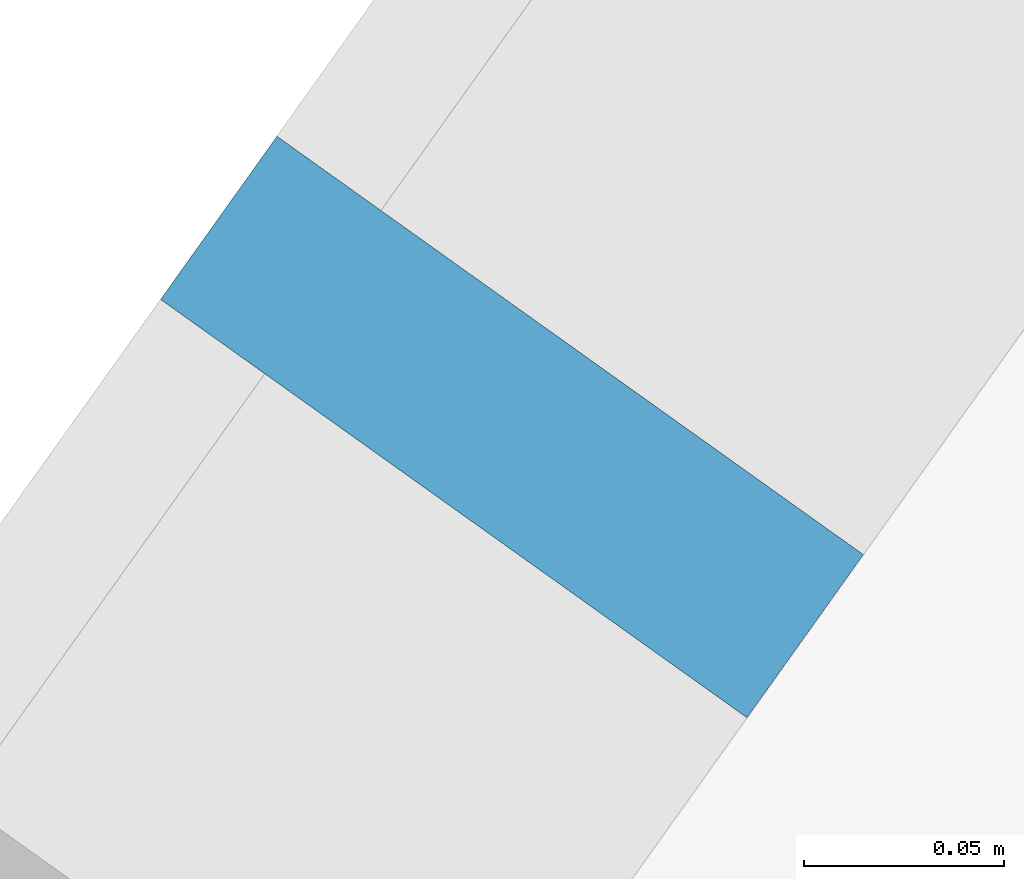
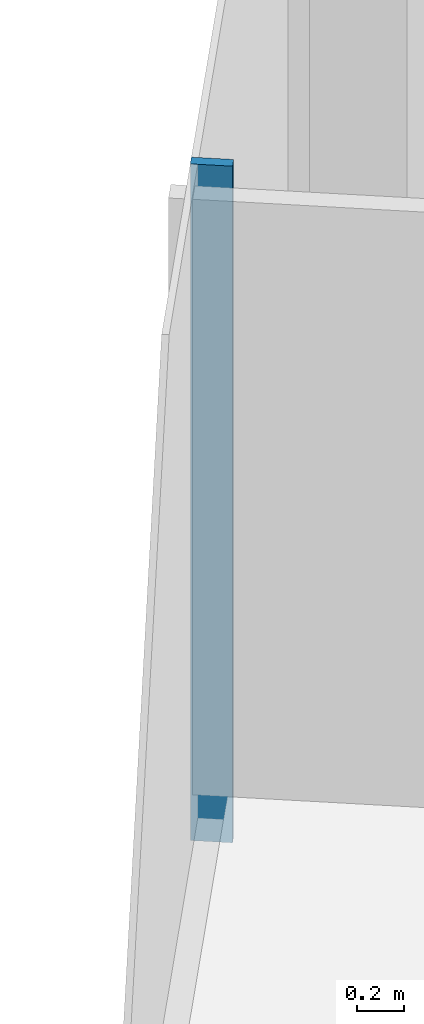
# One storey, part 4 of 31: 1 member, 1 element without a shape of its own.
"""IFC4 building model written with IfcOpenShell, lengths in metres."""

from ifc_helpers import new_model, si_unit, direction, frame, origin, origin_2d, place, context, subcontext, project, spatial, rectangle, extrude, material, material_profile, profile_set, type_object, element, aggregate, save


model = new_model("IFC4")

# Units and contexts
model_context = context("Model", 3, precision=1e-05, world=origin(), true_north=direction((0.0, 1.0)))
body_context = subcontext(model_context, "Body", "Model", "MODEL_VIEW")
ifc_project = project(units=[si_unit("LENGTHUNIT", "METRE"), si_unit("AREAUNIT", "SQUARE_METRE"), si_unit("VOLUMEUNIT", "CUBIC_METRE"), si_unit("PLANEANGLEUNIT", "RADIAN"), si_unit("MASSUNIT", "GRAM", prefix="KILO")], contexts=[model_context])

# Site, building, storey
site_placement = place(None, origin())
site = spatial("IfcSite", under=ifc_project, at=site_placement, CompositionType="ELEMENT")
building_placement = place(site_placement, origin())
building = spatial("IfcBuilding", under=site, at=building_placement, Name="Orlundy Tower", CompositionType="ELEMENT")
storey_placement = place(building_placement, frame((0.0, 0.0, 94.699951171875)))
storey = spatial("IfcBuildingStorey", under=building, at=storey_placement, Name="L23", CompositionType="ELEMENT", Elevation=94.699951171875)

# Curtain wall, member
ifc_material_1 = material(Name="Aluminium bronze anodised", Category="aluminium")
curtain_wall_type = type_object("IfcCurtainWallType", Name="CW1 wall", PredefinedType="NOTDEFINED", material=ifc_material_1)
curtain_wall_placement = place(storey_placement, origin())
curtain_wall = element("IfcCurtainWall", 1, at=curtain_wall_placement, inside=storey, type_object=curtain_wall_type, Name="CW1 run 00", PredefinedType="NOTDEFINED")
ifc_material_2 = material(Name="Aluminium bronze anodised", Category="aluminium")
ifc_material_profile = material_profile(ifc_material_2, rectangle(XDim=0.179931640625, YDim=0.050048828125, at=origin_2d()), Name="CW1 mullion 50x180")
ifc_profile_set = profile_set([ifc_material_profile], Name="Aluminium bronze anodised")
member_type = type_object("IfcMemberType", Name="CW1 mullion 50x180", PredefinedType="MULLION", material=ifc_profile_set)
member_placement = place(storey_placement, frame((-43.209716796875, -25.982177734375, -0.39990234375), z_axis=(0.0, 0.0, 1.0), x_axis=(-0.814116921316, 0.580700988829, 0.0)))
member = element("IfcMember", 2, at=member_placement, type_object=member_type, Name="CW1 mullion 2", PredefinedType="MULLION", context=body_context, shape_type="SweptSolid", body=[
    extrude(rectangle(XDim=0.179931640625, YDim=0.050048828125, at=origin_2d()), origin(), (0.0, 0.0, 1.0), 3.5),
])
aggregate(curtain_wall, [member])

save(model, "model.ifc")
